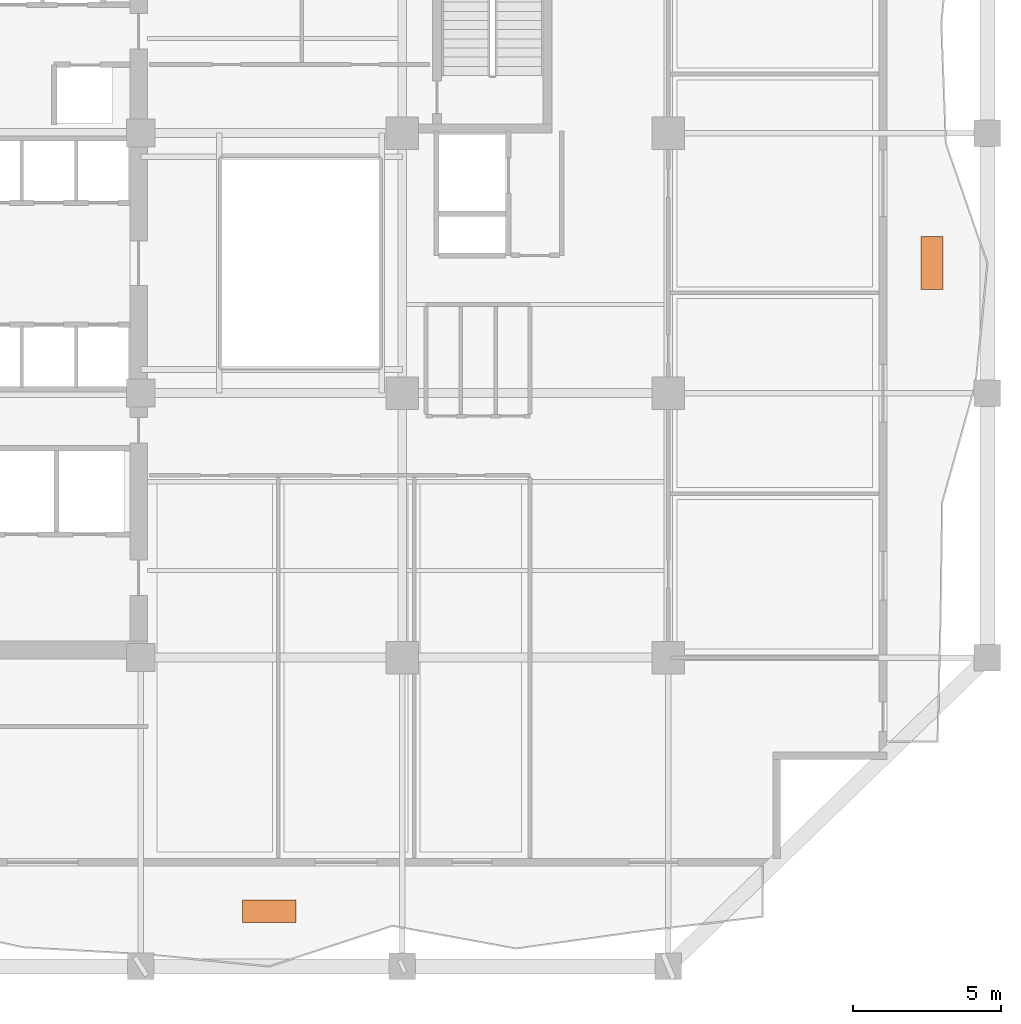
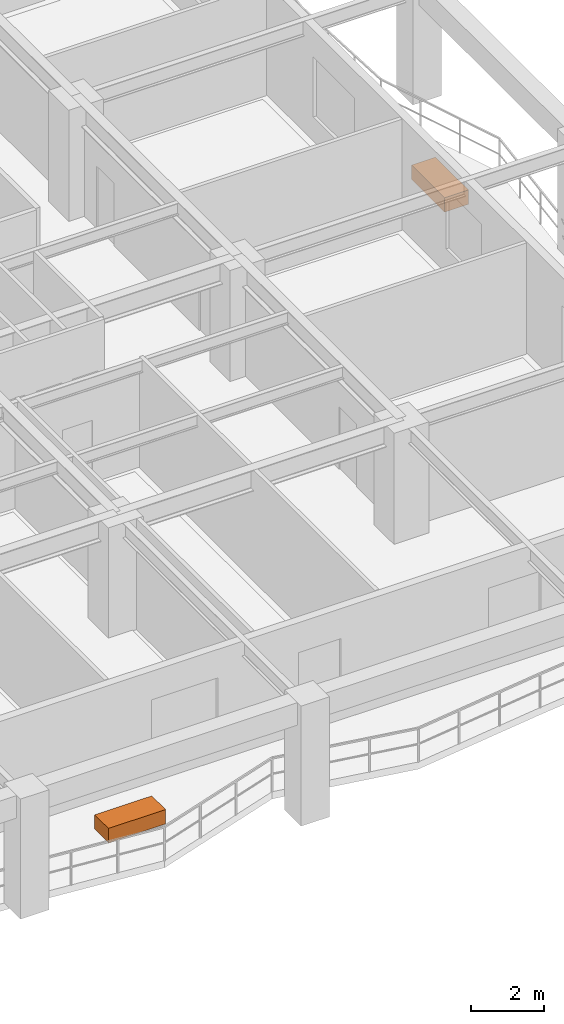
# One storey, part 11 of 11: 2 proxies.
"""IFC4 building model written with IfcOpenShell, lengths in metres."""

from ifc_helpers import new_model, si_unit, direction, frame, origin, origin_2d, place, context, subcontext, project, spatial, rectangle, extrude, material, type_object, element, save


model = new_model("IFC4")

# Units and contexts
model_context = context("Model", 3, precision=1e-05, world=origin(), true_north=direction((0.0, 1.0)))
body_context = subcontext(model_context, "Body", "Model", "MODEL_VIEW")
ifc_project = project(units=[si_unit("LENGTHUNIT", "METRE"), si_unit("AREAUNIT", "SQUARE_METRE"), si_unit("VOLUMEUNIT", "CUBIC_METRE"), si_unit("PLANEANGLEUNIT", "RADIAN"), si_unit("MASSUNIT", "GRAM", prefix="KILO")], contexts=[model_context])

# Site, building, storey
site_placement = place(None, origin())
site = spatial("IfcSite", under=ifc_project, at=site_placement, CompositionType="ELEMENT")
building_placement = place(site_placement, origin())
building = spatial("IfcBuilding", under=site, at=building_placement, Name="Kundavana Baori Tower", CompositionType="ELEMENT")
storey_placement = place(building_placement, frame((0.0, 0.0, 90.0)))
storey = spatial("IfcBuildingStorey", under=building, at=storey_placement, Name="L21", CompositionType="ELEMENT", Elevation=90.0)

# Proxies
ifc_material = material(Name="Red-Buff Dholpur Sandstone Cladding on Concrete C40/50", Category="masonry")
building_element_proxy_type = type_object("IfcBuildingElementProxyType", Name="PRX-PLANTER-1800", PredefinedType="USERDEFINED", material=ifc_material)
for number, where, z_axis, x_axis, name in (
    (1, (29.300048828125, 6.669921875, 0.0), (0.0, 0.0, 1.0), (1.0, 0.0, 0.0), "L21 Dholpur Stone Structural Tree Planter S"),
    (2, (51.72998046875, 28.60009765625, 0.0), (0.0, 0.0, 1.0), (0.0, 1.0, 0.0), "L21 Dholpur Stone Structural Tree Planter E"),
):
    element("IfcBuildingElementProxy", number, at=place(storey_placement, frame(where, z_axis=z_axis, x_axis=x_axis)), inside=storey, type_object=building_element_proxy_type, Name=name, ObjectType="PLANTER", PredefinedType="USERDEFINED", context=body_context, shape_type="SweptSolid", body=[
        extrude(rectangle(XDim=1.800048828125, YDim=0.75, at=origin_2d()), origin(), (0.0, 0.0, 1.0), 0.47998046875),
    ])

save(model, "model.ifc")
